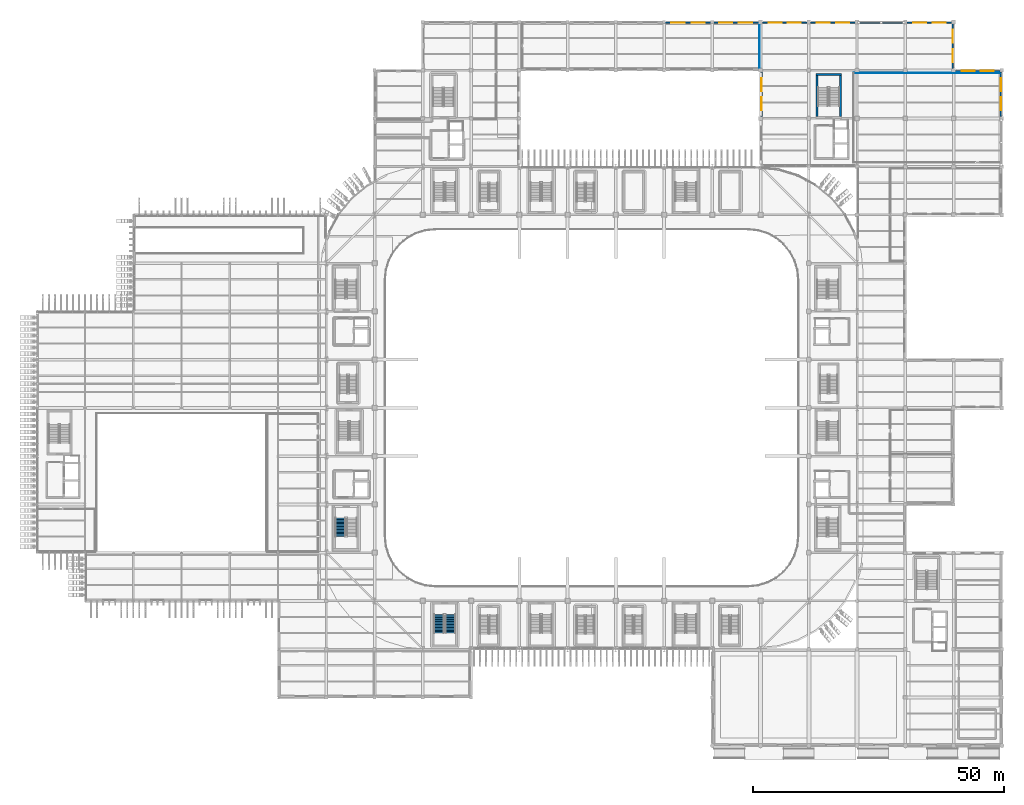
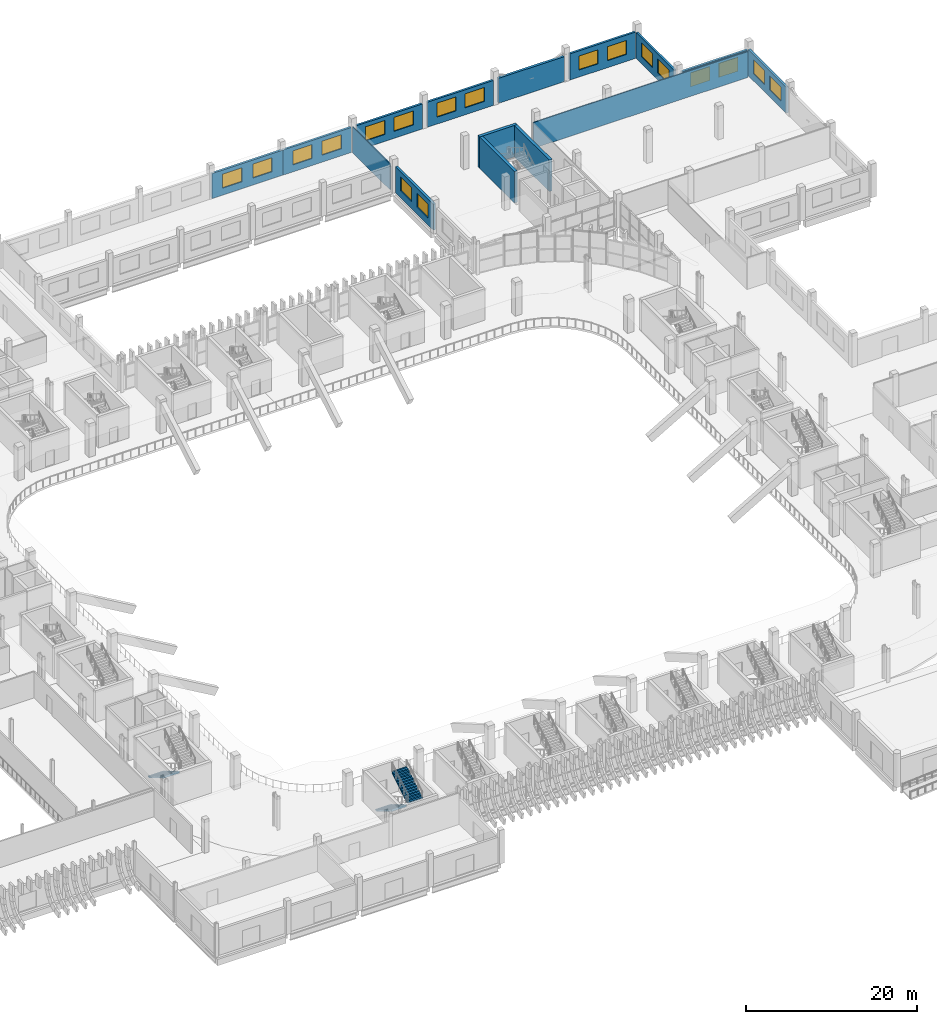
# One storey, part 60 of 100: 18 windows, 15 walls, 3 stair flights, 18 openings, 2 elements without a shape of their own.
"""IFC4 building model written with IfcOpenShell, lengths in metres."""

from ifc_helpers import new_model, si_unit, direction, frame, frame_2d, origin, place, context, subcontext, project, spatial, polyline, rectangle, outline, extrude, material, layer, layer_set, type_object, element, fill, aggregate, save


model = new_model("IFC4")

# Units and contexts
model_context = context("Model", 3, precision=1e-05, world=origin(), true_north=direction((0.0, 1.0)))
body_context = subcontext(model_context, "Body", "Model", "MODEL_VIEW")
ifc_project = project(units=[si_unit("LENGTHUNIT", "METRE"), si_unit("AREAUNIT", "SQUARE_METRE"), si_unit("VOLUMEUNIT", "CUBIC_METRE"), si_unit("PLANEANGLEUNIT", "RADIAN"), si_unit("MASSUNIT", "GRAM", prefix="KILO")], contexts=[model_context])

# Site, building, storey
site_placement = place(None, origin())
site = spatial("IfcSite", under=ifc_project, at=site_placement, CompositionType="ELEMENT")
building_placement = place(site_placement, origin())
building = spatial("IfcBuilding", under=site, at=building_placement, Name="Caelomonte Colonnade Arena", CompositionType="ELEMENT")
storey_placement = place(building_placement, origin())
storey = spatial("IfcBuildingStorey", under=building, at=storey_placement, Name="L00", CompositionType="ELEMENT", Elevation=0.0)

# Wall, openings, windows
ifc_material_1 = material(Name="Precast concrete C40/50", Category="concrete")
ifc_layer_1 = layer(ifc_material_1, 0.2900390625)
ifc_layer_set_1 = layer_set([ifc_layer_1], Name="Precast concrete C40/50")
wall_type_1 = type_object("IfcWallType", Name="ENV-WL-EXT29", PredefinedType="SOLIDWALL", material=ifc_layer_set_1)
wall_1_placement = place(storey_placement, frame((191.820068359375, 125.155029296875, 0.0), z_axis=(0.0, 0.0, 1.0), x_axis=(0.0, 1.0, 0.0)))
wall_1 = element("IfcWall", 1, at=wall_1_placement, inside=storey, type_object=wall_type_1, Name="L00 exterior wall EW-L00-0150", PredefinedType="SOLIDWALL", context=body_context, shape_type="SweptSolid", body=[
    extrude(rectangle(XDim=8.889892578125, YDim=0.2900390625, at=frame_2d((4.44482421875, 0.0))), origin(), (0.0, 0.0, 1.0), 3.75),
])
opening_1_placement = place(wall_1_placement, frame((3.830078125, 0.0, 1.0), z_axis=(0.0, 0.0, 1.0), x_axis=(-1.0, 0.0, 0.0)))
opening_1 = element("IfcOpeningElement", 2, at=opening_1_placement, cuts=wall_1, Name="Opening WN-10", PredefinedType="OPENING", context=body_context, shape_type="SweptSolid", body=[
    extrude(rectangle(XDim=2.60009765625, YDim=2.0, at=frame_2d((1.300048828125, 1.0))), frame((0.0, 0.155029296875, 0.0), z_axis=(0.0, -1.0, 0.0), x_axis=(1.0, 0.0, 0.0)), (0.0, 0.0, 1.0), 0.31005859375),
])
opening_2_placement = place(wall_1_placement, frame((7.66015625, 0.0, 1.0), z_axis=(0.0, 0.0, 1.0), x_axis=(-1.0, 0.0, 0.0)))
opening_2 = element("IfcOpeningElement", 3, at=opening_2_placement, cuts=wall_1, Name="Opening WN-10", PredefinedType="OPENING", context=body_context, shape_type="SweptSolid", body=[
    extrude(rectangle(XDim=2.60009765625, YDim=2.0, at=frame_2d((1.300048828125, 1.0))), frame((0.0, 0.155029296875, 0.0), z_axis=(0.0, -1.0, 0.0), x_axis=(1.0, 0.0, 0.0)), (0.0, 0.0, 1.0), 0.31005859375),
])
ifc_material_2 = material(Name="Solar-control bronze low-E double glazing", Category="glass")
window_type = type_object("IfcWindowType", Name="ENV-WN-V4G", PartitioningType="TRIPLE_PANEL_VERTICAL", PredefinedType="WINDOW", material=ifc_material_2)
window_1_placement = place(opening_1_placement, origin())
window_1 = element("IfcWindow", 4, at=window_1_placement, inside=storey, type_object=window_type, Name="L00 facade window 21", OverallHeight=2.0, OverallWidth=2.60009765625, PartitioningType="SINGLE_PANEL", PredefinedType="WINDOW", context=body_context, shape_type="SweptSolid", body=[
    extrude(rectangle(XDim=2.60009765625, YDim=2.0, at=frame_2d((1.300048828125, 1.0))), frame((0.0, 0.030029296875, 0.0), z_axis=(0.0, -1.0, 0.0), x_axis=(1.0, 0.0, 0.0)), (0.0, 0.0, 1.0), 0.06005859375),
])
fill(opening_1, window_1)
window_2_placement = place(opening_2_placement, origin())
window_2 = element("IfcWindow", 5, at=window_2_placement, inside=storey, type_object=window_type, Name="L00 facade window 22", OverallHeight=2.0, OverallWidth=2.60009765625, PartitioningType="SINGLE_PANEL", PredefinedType="WINDOW", context=body_context, shape_type="SweptSolid", body=[
    extrude(rectangle(XDim=2.60009765625, YDim=2.0, at=frame_2d((1.300048828125, 1.0))), frame((0.0, 0.030029296875, 0.0), z_axis=(0.0, -1.0, 0.0), x_axis=(1.0, 0.0, 0.0)), (0.0, 0.0, 1.0), 0.06005859375),
])
fill(opening_2, window_2)

wall_2_placement = place(storey_placement, frame((191.64501953125, 134.219970703125, 0.0), z_axis=(0.0, 0.0, 1.0), x_axis=(-1.0, 0.0, 0.0)))
wall_2 = element("IfcWall", 6, at=wall_2_placement, inside=storey, type_object=wall_type_1, Name="L00 exterior wall EW-L00-0151", PredefinedType="SOLIDWALL", context=body_context, shape_type="SweptSolid", body=[
    extrude(rectangle(XDim=8.89013671875, YDim=0.2900390625, at=frame_2d((4.445068359375, 0.0))), origin(), (0.0, 0.0, 1.0), 3.664306640625),
])
opening_3_placement = place(wall_2_placement, frame((3.830078125, 0.0, 1.0), z_axis=(0.0, 0.0, 1.0), x_axis=(-1.0, 0.0, 0.0)))
opening_3 = element("IfcOpeningElement", 7, at=opening_3_placement, cuts=wall_2, Name="Opening WN-10", PredefinedType="OPENING", context=body_context, shape_type="SweptSolid", body=[
    extrude(rectangle(XDim=2.60009765625, YDim=2.0, at=frame_2d((1.300048828125, 1.0))), frame((0.0, 0.155029296875, 0.0), z_axis=(0.0, -1.0, 0.0), x_axis=(1.0, 0.0, 0.0)), (0.0, 0.0, 1.0), 0.31005859375),
])
opening_4_placement = place(wall_2_placement, frame((7.66015625, 0.0, 1.0), z_axis=(0.0, 0.0, 1.0), x_axis=(-1.0, 0.0, 0.0)))
opening_4 = element("IfcOpeningElement", 8, at=opening_4_placement, cuts=wall_2, Name="Opening WN-10", PredefinedType="OPENING", context=body_context, shape_type="SweptSolid", body=[
    extrude(rectangle(XDim=2.60009765625, YDim=2.0, at=frame_2d((1.300048828125, 1.0))), frame((0.0, 0.155029296875, 0.0), z_axis=(0.0, -1.0, 0.0), x_axis=(1.0, 0.0, 0.0)), (0.0, 0.0, 1.0), 0.31005859375),
])
window_3_placement = place(opening_3_placement, origin())
window_3 = element("IfcWindow", 9, at=window_3_placement, inside=storey, type_object=window_type, Name="L00 facade window 23", OverallHeight=2.0, OverallWidth=2.60009765625, PartitioningType="SINGLE_PANEL", PredefinedType="WINDOW", context=body_context, shape_type="SweptSolid", body=[
    extrude(rectangle(XDim=2.60009765625, YDim=2.0, at=frame_2d((1.300048828125, 1.0))), frame((0.0, 0.030029296875, 0.0), z_axis=(0.0, -1.0, 0.0), x_axis=(1.0, 0.0, 0.0)), (0.0, 0.0, 1.0), 0.06005859375),
])
fill(opening_3, window_3)
window_4_placement = place(opening_4_placement, origin())
window_4 = element("IfcWindow", 10, at=window_4_placement, inside=storey, type_object=window_type, Name="L00 facade window 24", OverallHeight=2.0, OverallWidth=2.60009765625, PartitioningType="SINGLE_PANEL", PredefinedType="WINDOW", context=body_context, shape_type="SweptSolid", body=[
    extrude(rectangle(XDim=2.60009765625, YDim=2.0, at=frame_2d((1.300048828125, 1.0))), frame((0.0, 0.030029296875, 0.0), z_axis=(0.0, -1.0, 0.0), x_axis=(1.0, 0.0, 0.0)), (0.0, 0.0, 1.0), 0.06005859375),
])
fill(opening_4, window_4)

wall_3_placement = place(storey_placement, frame((182.219970703125, 134.7548828125, 0.0), z_axis=(0.0, 0.0, 1.0), x_axis=(0.0, 1.0, 0.0)))
wall_3 = element("IfcWall", 11, at=wall_3_placement, inside=storey, type_object=wall_type_1, Name="L00 exterior wall EW-L00-0152", PredefinedType="SOLIDWALL", context=body_context, shape_type="SweptSolid", body=[
    extrude(rectangle(XDim=8.89013671875, YDim=0.2900390625, at=frame_2d((4.445068359375, 0.0))), origin(), (0.0, 0.0, 1.0), 3.699951171875),
])
opening_5_placement = place(wall_3_placement, frame((3.830078125, 0.0, 1.0), z_axis=(0.0, 0.0, 1.0), x_axis=(-1.0, 0.0, 0.0)))
opening_5 = element("IfcOpeningElement", 12, at=opening_5_placement, cuts=wall_3, Name="Opening WN-10", PredefinedType="OPENING", context=body_context, shape_type="SweptSolid", body=[
    extrude(rectangle(XDim=2.60009765625, YDim=2.0, at=frame_2d((1.300048828125, 1.0))), frame((0.0, 0.155029296875, 0.0), z_axis=(0.0, -1.0, 0.0), x_axis=(1.0, 0.0, 0.0)), (0.0, 0.0, 1.0), 0.31005859375),
])
opening_6_placement = place(wall_3_placement, frame((7.66015625, 0.0, 1.0), z_axis=(0.0, 0.0, 1.0), x_axis=(-1.0, 0.0, 0.0)))
opening_6 = element("IfcOpeningElement", 13, at=opening_6_placement, cuts=wall_3, Name="Opening WN-10", PredefinedType="OPENING", context=body_context, shape_type="SweptSolid", body=[
    extrude(rectangle(XDim=2.60009765625, YDim=2.0, at=frame_2d((1.300048828125, 1.0))), frame((0.0, 0.155029296875, 0.0), z_axis=(0.0, -1.0, 0.0), x_axis=(1.0, 0.0, 0.0)), (0.0, 0.0, 1.0), 0.31005859375),
])
window_5_placement = place(opening_5_placement, origin())
window_5 = element("IfcWindow", 14, at=window_5_placement, inside=storey, type_object=window_type, Name="L00 facade window 25", OverallHeight=2.0, OverallWidth=2.60009765625, PartitioningType="SINGLE_PANEL", PredefinedType="WINDOW", context=body_context, shape_type="SweptSolid", body=[
    extrude(rectangle(XDim=2.60009765625, YDim=2.0, at=frame_2d((1.300048828125, 1.0))), frame((0.0, 0.030029296875, 0.0), z_axis=(0.0, -1.0, 0.0), x_axis=(1.0, 0.0, 0.0)), (0.0, 0.0, 1.0), 0.06005859375),
])
fill(opening_5, window_5)
window_6_placement = place(opening_6_placement, origin())
window_6 = element("IfcWindow", 15, at=window_6_placement, inside=storey, type_object=window_type, Name="L00 facade window 26", OverallHeight=2.0, OverallWidth=2.60009765625, PartitioningType="SINGLE_PANEL", PredefinedType="WINDOW", context=body_context, shape_type="SweptSolid", body=[
    extrude(rectangle(XDim=2.60009765625, YDim=2.0, at=frame_2d((1.300048828125, 1.0))), frame((0.0, 0.030029296875, 0.0), z_axis=(0.0, -1.0, 0.0), x_axis=(1.0, 0.0, 0.0)), (0.0, 0.0, 1.0), 0.06005859375),
])
fill(opening_6, window_6)

wall_4_placement = place(storey_placement, frame((182.044921875, 143.820068359375, 0.0), z_axis=(0.0, 0.0, 1.0), x_axis=(-1.0, 0.0, 0.0)))
wall_4 = element("IfcWall", 16, at=wall_4_placement, inside=storey, type_object=wall_type_1, Name="L00 exterior wall EW-L00-0153", PredefinedType="SOLIDWALL", context=body_context, shape_type="SweptSolid", body=[
    extrude(rectangle(XDim=8.889892578125, YDim=0.2900390625, at=frame_2d((4.44482421875, 0.0))), origin(), (0.0, 0.0, 1.0), 3.75),
])
opening_7_placement = place(wall_4_placement, frame((3.830078125, 0.0, 1.0), z_axis=(0.0, 0.0, 1.0), x_axis=(-1.0, 0.0, 0.0)))
opening_7 = element("IfcOpeningElement", 17, at=opening_7_placement, cuts=wall_4, Name="Opening WN-10", PredefinedType="OPENING", context=body_context, shape_type="SweptSolid", body=[
    extrude(rectangle(XDim=2.60009765625, YDim=2.0, at=frame_2d((1.300048828125, 1.0))), frame((0.0, 0.155029296875, 0.0), z_axis=(0.0, -1.0, 0.0), x_axis=(1.0, 0.0, 0.0)), (0.0, 0.0, 1.0), 0.31005859375),
])
opening_8_placement = place(wall_4_placement, frame((7.66015625, 0.0, 1.0), z_axis=(0.0, 0.0, 1.0), x_axis=(-1.0, 0.0, 0.0)))
opening_8 = element("IfcOpeningElement", 18, at=opening_8_placement, cuts=wall_4, Name="Opening WN-10", PredefinedType="OPENING", context=body_context, shape_type="SweptSolid", body=[
    extrude(rectangle(XDim=2.60009765625, YDim=2.0, at=frame_2d((1.300048828125, 1.0))), frame((0.0, 0.155029296875, 0.0), z_axis=(0.0, -1.0, 0.0), x_axis=(1.0, 0.0, 0.0)), (0.0, 0.0, 1.0), 0.31005859375),
])
window_7_placement = place(opening_7_placement, origin())
window_7 = element("IfcWindow", 19, at=window_7_placement, inside=storey, type_object=window_type, Name="L00 facade window 27", OverallHeight=2.0, OverallWidth=2.60009765625, PartitioningType="SINGLE_PANEL", PredefinedType="WINDOW", context=body_context, shape_type="SweptSolid", body=[
    extrude(rectangle(XDim=2.60009765625, YDim=2.0, at=frame_2d((1.300048828125, 1.0))), frame((0.0, 0.030029296875, 0.0), z_axis=(0.0, -1.0, 0.0), x_axis=(1.0, 0.0, 0.0)), (0.0, 0.0, 1.0), 0.06005859375),
])
fill(opening_7, window_7)
window_8_placement = place(opening_8_placement, origin())
window_8 = element("IfcWindow", 20, at=window_8_placement, inside=storey, type_object=window_type, Name="L00 facade window 28", OverallHeight=2.0, OverallWidth=2.60009765625, PartitioningType="SINGLE_PANEL", PredefinedType="WINDOW", context=body_context, shape_type="SweptSolid", body=[
    extrude(rectangle(XDim=2.60009765625, YDim=2.0, at=frame_2d((1.300048828125, 1.0))), frame((0.0, 0.030029296875, 0.0), z_axis=(0.0, -1.0, 0.0), x_axis=(1.0, 0.0, 0.0)), (0.0, 0.0, 1.0), 0.06005859375),
])
fill(opening_8, window_8)

wall_5_placement = place(storey_placement, frame((162.844970703125, 143.820068359375, 0.0), z_axis=(0.0, 0.0, 1.0), x_axis=(-1.0, 0.0, 0.0)))
wall_5 = element("IfcWall", 21, at=wall_5_placement, inside=storey, type_object=wall_type_1, Name="L00 exterior wall EW-L00-0155", PredefinedType="SOLIDWALL", context=body_context, shape_type="SweptSolid", body=[
    extrude(rectangle(XDim=8.889892578125, YDim=0.2900390625, at=frame_2d((4.44482421875, 0.0))), origin(), (0.0, 0.0, 1.0), 3.572998046875),
])
opening_9_placement = place(wall_5_placement, frame((3.830078125, 0.0, 1.0), z_axis=(0.0, 0.0, 1.0), x_axis=(-1.0, 0.0, 0.0)))
opening_9 = element("IfcOpeningElement", 22, at=opening_9_placement, cuts=wall_5, Name="Opening WN-10", PredefinedType="OPENING", context=body_context, shape_type="SweptSolid", body=[
    extrude(rectangle(XDim=2.60009765625, YDim=2.0, at=frame_2d((1.300048828125, 1.0))), frame((0.0, 0.155029296875, 0.0), z_axis=(0.0, -1.0, 0.0), x_axis=(1.0, 0.0, 0.0)), (0.0, 0.0, 1.0), 0.31005859375),
])
opening_10_placement = place(wall_5_placement, frame((7.66015625, 0.0, 1.0), z_axis=(0.0, 0.0, 1.0), x_axis=(-1.0, 0.0, 0.0)))
opening_10 = element("IfcOpeningElement", 23, at=opening_10_placement, cuts=wall_5, Name="Opening WN-10", PredefinedType="OPENING", context=body_context, shape_type="SweptSolid", body=[
    extrude(rectangle(XDim=2.60009765625, YDim=2.0, at=frame_2d((1.300048828125, 1.0))), frame((0.0, 0.155029296875, 0.0), z_axis=(0.0, -1.0, 0.0), x_axis=(1.0, 0.0, 0.0)), (0.0, 0.0, 1.0), 0.31005859375),
])
window_9_placement = place(opening_9_placement, origin())
window_9 = element("IfcWindow", 24, at=window_9_placement, inside=storey, type_object=window_type, Name="L00 facade window 29", OverallHeight=2.0, OverallWidth=2.60009765625, PartitioningType="SINGLE_PANEL", PredefinedType="WINDOW", context=body_context, shape_type="SweptSolid", body=[
    extrude(rectangle(XDim=2.60009765625, YDim=2.0, at=frame_2d((1.300048828125, 1.0))), frame((0.0, 0.030029296875, 0.0), z_axis=(0.0, -1.0, 0.0), x_axis=(1.0, 0.0, 0.0)), (0.0, 0.0, 1.0), 0.06005859375),
])
fill(opening_9, window_9)
window_10_placement = place(opening_10_placement, origin())
window_10 = element("IfcWindow", 25, at=window_10_placement, inside=storey, type_object=window_type, Name="L00 facade window 30", OverallHeight=2.0, OverallWidth=2.60009765625, PartitioningType="SINGLE_PANEL", PredefinedType="WINDOW", context=body_context, shape_type="SweptSolid", body=[
    extrude(rectangle(XDim=2.60009765625, YDim=2.0, at=frame_2d((1.300048828125, 1.0))), frame((0.0, 0.030029296875, 0.0), z_axis=(0.0, -1.0, 0.0), x_axis=(1.0, 0.0, 0.0)), (0.0, 0.0, 1.0), 0.06005859375),
])
fill(opening_10, window_10)

wall_6_placement = place(storey_placement, frame((153.2451171875, 143.820068359375, 0.0), z_axis=(0.0, 0.0, 1.0), x_axis=(-1.0, 0.0, 0.0)))
wall_6 = element("IfcWall", 26, at=wall_6_placement, inside=storey, type_object=wall_type_1, Name="L00 exterior wall EW-L00-0156", PredefinedType="SOLIDWALL", context=body_context, shape_type="SweptSolid", body=[
    extrude(rectangle(XDim=8.89013671875, YDim=0.2900390625, at=frame_2d((4.445068359375, 0.0))), origin(), (0.0, 0.0, 1.0), 3.572998046875),
])
opening_11_placement = place(wall_6_placement, frame((3.830078125, 0.0, 1.0), z_axis=(0.0, 0.0, 1.0), x_axis=(-1.0, 0.0, 0.0)))
opening_11 = element("IfcOpeningElement", 27, at=opening_11_placement, cuts=wall_6, Name="Opening WN-10", PredefinedType="OPENING", context=body_context, shape_type="SweptSolid", body=[
    extrude(rectangle(XDim=2.60009765625, YDim=2.0, at=frame_2d((1.300048828125, 1.0))), frame((0.0, 0.155029296875, 0.0), z_axis=(0.0, -1.0, 0.0), x_axis=(1.0, 0.0, 0.0)), (0.0, 0.0, 1.0), 0.31005859375),
])
opening_12_placement = place(wall_6_placement, frame((7.66015625, 0.0, 1.0), z_axis=(0.0, 0.0, 1.0), x_axis=(-1.0, 0.0, 0.0)))
opening_12 = element("IfcOpeningElement", 28, at=opening_12_placement, cuts=wall_6, Name="Opening WN-10", PredefinedType="OPENING", context=body_context, shape_type="SweptSolid", body=[
    extrude(rectangle(XDim=2.60009765625, YDim=2.0, at=frame_2d((1.300048828125, 1.0))), frame((0.0, 0.155029296875, 0.0), z_axis=(0.0, -1.0, 0.0), x_axis=(1.0, 0.0, 0.0)), (0.0, 0.0, 1.0), 0.31005859375),
])
window_11_placement = place(opening_11_placement, origin())
window_11 = element("IfcWindow", 29, at=window_11_placement, inside=storey, type_object=window_type, Name="L00 facade window 31", OverallHeight=2.0, OverallWidth=2.60009765625, PartitioningType="SINGLE_PANEL", PredefinedType="WINDOW", context=body_context, shape_type="SweptSolid", body=[
    extrude(rectangle(XDim=2.60009765625, YDim=2.0, at=frame_2d((1.300048828125, 1.0))), frame((0.0, 0.030029296875, 0.0), z_axis=(0.0, -1.0, 0.0), x_axis=(1.0, 0.0, 0.0)), (0.0, 0.0, 1.0), 0.06005859375),
])
fill(opening_11, window_11)
window_12_placement = place(opening_12_placement, origin())
window_12 = element("IfcWindow", 30, at=window_12_placement, inside=storey, type_object=window_type, Name="L00 facade window 32", OverallHeight=2.0, OverallWidth=2.60009765625, PartitioningType="SINGLE_PANEL", PredefinedType="WINDOW", context=body_context, shape_type="SweptSolid", body=[
    extrude(rectangle(XDim=2.60009765625, YDim=2.0, at=frame_2d((1.300048828125, 1.0))), frame((0.0, 0.030029296875, 0.0), z_axis=(0.0, -1.0, 0.0), x_axis=(1.0, 0.0, 0.0)), (0.0, 0.0, 1.0), 0.06005859375),
])
fill(opening_12, window_12)

wall_7_placement = place(storey_placement, frame((143.64501953125, 143.820068359375, 0.0), z_axis=(0.0, 0.0, 1.0), x_axis=(-1.0, 0.0, 0.0)))
wall_7 = element("IfcWall", 31, at=wall_7_placement, inside=storey, type_object=wall_type_1, Name="L00 exterior wall EW-L00-0157", PredefinedType="SOLIDWALL", context=body_context, shape_type="SweptSolid", body=[
    extrude(rectangle(XDim=9.2451171875, YDim=0.2900390625, at=frame_2d((4.62255859375, 0.0))), origin(), (0.0, 0.0, 1.0), 3.572998046875),
])
opening_13_placement = place(wall_7_placement, frame((3.948486328125, 0.0, 1.0), z_axis=(0.0, 0.0, 1.0), x_axis=(-1.0, 0.0, 0.0)))
opening_13 = element("IfcOpeningElement", 32, at=opening_13_placement, cuts=wall_7, Name="Opening WN-10", PredefinedType="OPENING", context=body_context, shape_type="SweptSolid", body=[
    extrude(rectangle(XDim=2.60009765625, YDim=2.0, at=frame_2d((1.300048828125, 1.0))), frame((0.0, 0.155029296875, 0.0), z_axis=(0.0, -1.0, 0.0), x_axis=(1.0, 0.0, 0.0)), (0.0, 0.0, 1.0), 0.31005859375),
])
opening_14_placement = place(wall_7_placement, frame((7.896728515625, 0.0, 1.0), z_axis=(0.0, 0.0, 1.0), x_axis=(-1.0, 0.0, 0.0)))
opening_14 = element("IfcOpeningElement", 33, at=opening_14_placement, cuts=wall_7, Name="Opening WN-10", PredefinedType="OPENING", context=body_context, shape_type="SweptSolid", body=[
    extrude(rectangle(XDim=2.60009765625, YDim=2.0, at=frame_2d((1.300048828125, 1.0))), frame((0.0, 0.155029296875, 0.0), z_axis=(0.0, -1.0, 0.0), x_axis=(1.0, 0.0, 0.0)), (0.0, 0.0, 1.0), 0.31005859375),
])
window_13_placement = place(opening_13_placement, origin())
window_13 = element("IfcWindow", 34, at=window_13_placement, inside=storey, type_object=window_type, Name="L00 facade window 33", OverallHeight=2.0, OverallWidth=2.60009765625, PartitioningType="SINGLE_PANEL", PredefinedType="WINDOW", context=body_context, shape_type="SweptSolid", body=[
    extrude(rectangle(XDim=2.60009765625, YDim=2.0, at=frame_2d((1.300048828125, 1.0))), frame((0.0, 0.030029296875, 0.0), z_axis=(0.0, -1.0, 0.0), x_axis=(1.0, 0.0, 0.0)), (0.0, 0.0, 1.0), 0.06005859375),
])
fill(opening_13, window_13)
window_14_placement = place(opening_14_placement, origin())
window_14 = element("IfcWindow", 35, at=window_14_placement, inside=storey, type_object=window_type, Name="L00 facade window 34", OverallHeight=2.0, OverallWidth=2.60009765625, PartitioningType="SINGLE_PANEL", PredefinedType="WINDOW", context=body_context, shape_type="SweptSolid", body=[
    extrude(rectangle(XDim=2.60009765625, YDim=2.0, at=frame_2d((1.300048828125, 1.0))), frame((0.0, 0.030029296875, 0.0), z_axis=(0.0, -1.0, 0.0), x_axis=(1.0, 0.0, 0.0)), (0.0, 0.0, 1.0), 0.06005859375),
])
fill(opening_14, window_14)

wall_8_placement = place(storey_placement, frame((134.39990234375, 143.820068359375, 0.0), z_axis=(0.0, 0.0, 1.0), x_axis=(-1.0, 0.0, 0.0)))
wall_8 = element("IfcWall", 36, at=wall_8_placement, inside=storey, type_object=wall_type_1, Name="L00 exterior wall EW-L00-0158", PredefinedType="SOLIDWALL", context=body_context, shape_type="SweptSolid", body=[
    extrude(rectangle(XDim=9.599853515625, YDim=0.2900390625, at=frame_2d((4.7998046875, 0.0))), origin(), (0.0, 0.0, 1.0), 3.572998046875),
])
opening_15_placement = place(wall_8_placement, frame((4.06689453125, 0.0, 1.0), z_axis=(0.0, 0.0, 1.0), x_axis=(-1.0, 0.0, 0.0)))
opening_15 = element("IfcOpeningElement", 37, at=opening_15_placement, cuts=wall_8, Name="Opening WN-10", PredefinedType="OPENING", context=body_context, shape_type="SweptSolid", body=[
    extrude(rectangle(XDim=2.60009765625, YDim=2.0, at=frame_2d((1.300048828125, 1.0))), frame((0.0, 0.155029296875, 0.0), z_axis=(0.0, -1.0, 0.0), x_axis=(1.0, 0.0, 0.0)), (0.0, 0.0, 1.0), 0.31005859375),
])
opening_16_placement = place(wall_8_placement, frame((8.13330078125, 0.0, 1.0), z_axis=(0.0, 0.0, 1.0), x_axis=(-1.0, 0.0, 0.0)))
opening_16 = element("IfcOpeningElement", 38, at=opening_16_placement, cuts=wall_8, Name="Opening WN-10", PredefinedType="OPENING", context=body_context, shape_type="SweptSolid", body=[
    extrude(rectangle(XDim=2.60009765625, YDim=2.0, at=frame_2d((1.300048828125, 1.0))), frame((0.0, 0.155029296875, 0.0), z_axis=(0.0, -1.0, 0.0), x_axis=(1.0, 0.0, 0.0)), (0.0, 0.0, 1.0), 0.31005859375),
])
window_15_placement = place(opening_15_placement, origin())
window_15 = element("IfcWindow", 39, at=window_15_placement, inside=storey, type_object=window_type, Name="L00 facade window 35", OverallHeight=2.0, OverallWidth=2.60009765625, PartitioningType="SINGLE_PANEL", PredefinedType="WINDOW", context=body_context, shape_type="SweptSolid", body=[
    extrude(rectangle(XDim=2.60009765625, YDim=2.0, at=frame_2d((1.300048828125, 1.0))), frame((0.0, 0.030029296875, 0.0), z_axis=(0.0, -1.0, 0.0), x_axis=(1.0, 0.0, 0.0)), (0.0, 0.0, 1.0), 0.06005859375),
])
fill(opening_15, window_15)
window_16_placement = place(opening_16_placement, origin())
window_16 = element("IfcWindow", 40, at=window_16_placement, inside=storey, type_object=window_type, Name="L00 facade window 36", OverallHeight=2.0, OverallWidth=2.60009765625, PartitioningType="SINGLE_PANEL", PredefinedType="WINDOW", context=body_context, shape_type="SweptSolid", body=[
    extrude(rectangle(XDim=2.60009765625, YDim=2.0, at=frame_2d((1.300048828125, 1.0))), frame((0.0, 0.030029296875, 0.0), z_axis=(0.0, -1.0, 0.0), x_axis=(1.0, 0.0, 0.0)), (0.0, 0.0, 1.0), 0.06005859375),
])
fill(opening_16, window_16)

# Wall
ifc_layer_2 = layer(ifc_material_1, 0.330078125)
ifc_layer_set_2 = layer_set([ifc_layer_2], Name="Precast concrete C40/50")
wall_type_2 = type_object("IfcWallType", Name="ENV-WL-EXT33", PredefinedType="SOLIDWALL", material=ifc_layer_set_2)
wall_9_placement = place(storey_placement, frame((172.445068359375, 143.89990234375, 0.0), z_axis=(0.0, 0.0, 1.0), x_axis=(-1.0, 0.0, 0.0)))
element("IfcWall", 41, at=wall_9_placement, inside=storey, type_object=wall_type_2, Name="L00 exterior wall EW-L00-0154", PredefinedType="SOLIDWALL", context=body_context, shape_type="SweptSolid", body=[
    extrude(rectangle(XDim=8.89013671875, YDim=0.330078125, at=frame_2d((4.445068359375, 0.0))), origin(), (0.0, 0.0, 1.0), 3.572998046875),
])

# Wall, openings, windows
wall_10_placement = place(storey_placement, frame((144.179931640625, 134.044921875, 0.0), z_axis=(0.0, 0.0, 1.0), x_axis=(0.0, -1.0, 0.0)))
wall_10 = element("IfcWall", 42, at=wall_10_placement, inside=storey, type_object=wall_type_2, Name="L00 exterior wall EW-L00-0178", PredefinedType="SOLIDWALL", context=body_context, shape_type="SweptSolid", body=[
    extrude(rectangle(XDim=8.889892578125, YDim=0.330078125, at=frame_2d((4.44482421875, 0.0))), origin(), (0.0, 0.0, 1.0), 3.699951171875),
])
opening_17_placement = place(wall_10_placement, frame((3.830078125, 0.0, 1.0), z_axis=(0.0, 0.0, 1.0), x_axis=(-1.0, 0.0, 0.0)))
opening_17 = element("IfcOpeningElement", 43, at=opening_17_placement, cuts=wall_10, Name="Opening WN-10", PredefinedType="OPENING", context=body_context, shape_type="SweptSolid", body=[
    extrude(rectangle(XDim=2.60009765625, YDim=2.0, at=frame_2d((1.300048828125, 1.0))), frame((0.0, 0.175048828125, 0.0), z_axis=(0.0, -1.0, 0.0), x_axis=(1.0, 0.0, 0.0)), (0.0, 0.0, 1.0), 0.35009765625),
])
opening_18_placement = place(wall_10_placement, frame((7.66015625, 0.0, 1.0), z_axis=(0.0, 0.0, 1.0), x_axis=(-1.0, 0.0, 0.0)))
opening_18 = element("IfcOpeningElement", 44, at=opening_18_placement, cuts=wall_10, Name="Opening WN-10", PredefinedType="OPENING", context=body_context, shape_type="SweptSolid", body=[
    extrude(rectangle(XDim=2.60009765625, YDim=2.0, at=frame_2d((1.300048828125, 1.0))), frame((0.0, 0.175048828125, 0.0), z_axis=(0.0, -1.0, 0.0), x_axis=(1.0, 0.0, 0.0)), (0.0, 0.0, 1.0), 0.35009765625),
])
window_17_placement = place(opening_17_placement, origin())
window_17 = element("IfcWindow", 45, at=window_17_placement, inside=storey, type_object=window_type, Name="L00 facade window 63", OverallHeight=2.0, OverallWidth=2.60009765625, PartitioningType="SINGLE_PANEL", PredefinedType="WINDOW", context=body_context, shape_type="SweptSolid", body=[
    extrude(rectangle(XDim=2.60009765625, YDim=2.0, at=frame_2d((1.300048828125, 1.0))), frame((0.0, 0.030029296875, 0.0), z_axis=(0.0, -1.0, 0.0), x_axis=(1.0, 0.0, 0.0)), (0.0, 0.0, 1.0), 0.06005859375),
])
fill(opening_17, window_17)
window_18_placement = place(opening_18_placement, origin())
window_18 = element("IfcWindow", 46, at=window_18_placement, inside=storey, type_object=window_type, Name="L00 facade window 64", OverallHeight=2.0, OverallWidth=2.60009765625, PartitioningType="SINGLE_PANEL", PredefinedType="WINDOW", context=body_context, shape_type="SweptSolid", body=[
    extrude(rectangle(XDim=2.60009765625, YDim=2.0, at=frame_2d((1.300048828125, 1.0))), frame((0.0, 0.030029296875, 0.0), z_axis=(0.0, -1.0, 0.0), x_axis=(1.0, 0.0, 0.0)), (0.0, 0.0, 1.0), 0.06005859375),
])
fill(opening_18, window_18)

# Walls
ifc_material_3 = material(Name="Office gypsum stud partition")
ifc_layer_3 = layer(ifc_material_3, 0.1201171875)
ifc_layer_set_3 = layer_set([ifc_layer_3], Name="Office gypsum stud partition")
wall_type_3 = type_object("IfcWallType", Name="INT-WL-PT12", PredefinedType="PARTITIONING", material=ifc_layer_set_3)
wall_11_placement = place(storey_placement, frame((143.800048828125, 143.590087890625, 0.0), z_axis=(0.0, 0.0, 1.0), x_axis=(0.0, -1.0, 0.0)))
element("IfcWall", 47, at=wall_11_placement, inside=storey, type_object=wall_type_3, Name="L00 Civic Sports Exhibition Room partition 100", PredefinedType="PARTITIONING", context=body_context, shape_type="SweptSolid", body=[
    extrude(rectangle(XDim=8.780029296875, YDim=0.1201171875, at=frame_2d((4.39013671875, 0.0))), origin(), (0.0, 0.0, 1.0), 3.699951171875),
])
wall_12_placement = place(storey_placement, frame((162.5, 133.800048828125, 0.0), z_axis=(0.0, 0.0, 1.0), x_axis=(1.0, 0.0, 0.0)))
element("IfcWall", 48, at=wall_12_placement, inside=storey, type_object=wall_type_3, Name="L00 Arena Operations Office partition 102", PredefinedType="PARTITIONING", context=body_context, shape_type="SweptSolid", body=[
    extrude(rectangle(XDim=29.0, YDim=0.1201171875, at=frame_2d((14.5, 0.0))), origin(), (0.0, 0.0, 1.0), 3.699951171875),
])
ifc_material_4 = material(Name="Concrete C50/60", Category="concrete")
ifc_layer_4 = layer(ifc_material_4, 0.39990234375)
ifc_layer_set_4 = layer_set([ifc_layer_4], Name="Concrete C50/60")
wall_type_4 = type_object("IfcWallType", Name="INT-WL-SH40", PredefinedType="SHEAR", material=ifc_layer_set_4)
wall_13_placement = place(storey_placement, frame((160.10009765625, 133.550048828125, 0.0), z_axis=(0.0, 0.0, 1.0), x_axis=(-1.0, 0.0, 0.0)))
element("IfcWall", 49, at=wall_13_placement, inside=storey, type_object=wall_type_4, Name="CW-C6-ST L00 north enclosure wall", PredefinedType="SHEAR", context=body_context, shape_type="SweptSolid", body=[
    extrude(rectangle(XDim=5.10009765625, YDim=0.39990234375, at=frame_2d((2.550048828125, 0.0))), origin(), (0.0, 0.0, 1.0), 4.5),
])
for number, where, z_axis, x_axis, name in (
    (50, (155.199951171875, 133.35009765625, 0.0), (0.0, 0.0, 1.0), (0.0, -1.0, 0.0), "CW-C6-ST L00 west enclosure wall"),
    (51, (159.89990234375, 125.199951171875, 0.0), (0.0, 0.0, 1.0), (0.0, 1.0, 0.0), "CW-C6-ST L00 east enclosure wall"),
):
    element("IfcWall", number, at=place(storey_placement, frame(where, z_axis=z_axis, x_axis=x_axis)), inside=storey, type_object=wall_type_4, Name=name, PredefinedType="SHEAR", context=body_context, shape_type="SweptSolid", body=[
        extrude(rectangle(XDim=8.150146484375, YDim=0.39990234375, at=frame_2d((4.0751953125, 0.0))), origin(), (0.0, 0.0, 1.0), 4.5),
    ])

# Stair, stair flights
ifc_material_5 = material(Name="Concrete C40/50", Category="concrete")
stair_type_1 = type_object("IfcStairType", Name="INT-ST-CORE48", PredefinedType="HALF_TURN_STAIR", material=ifc_material_5)
stair_1_placement = place(storey_placement, origin())
stair_1 = element("IfcStair", 52, at=stair_1_placement, inside=storey, type_object=stair_type_1, Name="L00 Protected exit stair ST-11", PredefinedType="HALF_TURN_STAIR")
stair_flight_type_1 = type_object("IfcStairFlightType", Name="INT-SF-CORE48", PredefinedType="STRAIGHT", material=ifc_material_5)
stair_flight_1_placement = place(storey_placement, frame((80.02490234375, 26.10009765625, 0.0), z_axis=(0.0, 0.0, 1.0), x_axis=(0.0, -1.0, 0.0)))
stair_flight_1 = element("IfcStairFlight", 53, at=stair_flight_1_placement, type_object=stair_flight_type_1, Name="ST-11 flight 1", NumberOfRisers=14, NumberOfTreads=13, PredefinedType="STRAIGHT", RiserHeight=0.171428571, TreadLength=0.285, context=body_context, shape_type="SweptSolid", body=[
    extrude(outline(polyline([(-0.02490234375, 0.0), (-0.02490234375, 0.102783203125), (0.0, 0.102783203125), (0.0, 0.17138671875), (0.284912109375, 0.17138671875), (0.284912109375, 0.3427734375), (0.570068359375, 0.3427734375), (0.570068359375, 0.514404296875), (0.85498046875, 0.514404296875), (0.85498046875, 0.685791015625), (1.139892578125, 0.685791015625), (1.139892578125, 0.857177734375), (1.425048828125, 0.857177734375), (1.425048828125, 1.028564453125), (1.7099609375, 1.028564453125), (1.7099609375, 1.199951171875), (1.9951171875, 1.199951171875), (1.9951171875, 1.371337890625), (2.280029296875, 1.371337890625), (2.280029296875, 1.54296875), (2.56494140625, 1.54296875), (2.56494140625, 1.71435546875), (2.85009765625, 1.71435546875), (2.85009765625, 1.8857421875), (3.135009765625, 1.8857421875), (3.135009765625, 2.05712890625), (3.419921875, 2.05712890625), (3.419921875, 2.228515625), (3.705078125, 2.228515625), (3.705078125, 2.39990234375), (3.72998046875, 2.39990234375), (3.72998046875, 2.0537109375), (0.290771484375, 0.0), (-0.02490234375, 0.0)])), frame((0.0, 1.02490234375, 0.0), z_axis=(0.0, -1.0, 0.0), x_axis=(1.0, 0.0, 0.0)), (0.0, 0.0, 1.0), 2.050048828125),
])
stair_flight_2_placement = place(storey_placement, frame((82.27490234375, 22.39501953125, 2.39990234375), z_axis=(0.0, 0.0, 1.0), x_axis=(0.0, 1.0, 0.0)))
stair_flight_2 = element("IfcStairFlight", 54, at=stair_flight_2_placement, type_object=stair_flight_type_1, Name="ST-11 flight 2", NumberOfRisers=14, NumberOfTreads=13, PredefinedType="STRAIGHT", RiserHeight=0.171428571, TreadLength=0.285, context=body_context, shape_type="SweptSolid", body=[
    extrude(outline(polyline([(-0.02490234375, 0.0), (-0.02490234375, 0.102783203125), (0.0, 0.102783203125), (0.0, 0.17138671875), (0.284912109375, 0.17138671875), (0.284912109375, 0.3427734375), (0.570068359375, 0.3427734375), (0.570068359375, 0.514404296875), (0.85498046875, 0.514404296875), (0.85498046875, 0.685791015625), (1.139892578125, 0.685791015625), (1.139892578125, 0.857177734375), (1.425048828125, 0.857177734375), (1.425048828125, 1.028564453125), (1.7099609375, 1.028564453125), (1.7099609375, 1.199951171875), (1.9951171875, 1.199951171875), (1.9951171875, 1.371337890625), (2.280029296875, 1.371337890625), (2.280029296875, 1.54296875), (2.56494140625, 1.54296875), (2.56494140625, 1.71435546875), (2.85009765625, 1.71435546875), (2.85009765625, 1.8857421875), (3.135009765625, 1.8857421875), (3.135009765625, 2.05712890625), (3.419921875, 2.05712890625), (3.419921875, 2.228515625), (3.705078125, 2.228515625), (3.705078125, 2.39990234375), (3.72998046875, 2.39990234375), (3.72998046875, 2.0537109375), (0.290771484375, 0.0), (-0.02490234375, 0.0)])), frame((0.0, 1.02490234375, 0.0), z_axis=(0.0, -1.0, 0.0), x_axis=(1.0, 0.0, 0.0)), (0.0, 0.0, 1.0), 2.050048828125),
])
aggregate(stair_1, [stair_flight_1, stair_flight_2])

# Stair, stair flight
stair_type_2 = type_object("IfcStairType", Name="INT-ST-WING48", PredefinedType="HALF_TURN_STAIR", material=ifc_material_5)
stair_2_placement = place(storey_placement, origin())
stair_2 = element("IfcStair", 55, at=stair_2_placement, inside=storey, type_object=stair_type_2, Name="L00 Core C1 exit stair ST-01", PredefinedType="HALF_TURN_STAIR")
stair_flight_type_2 = type_object("IfcStairFlightType", Name="INT-SF-WING48", PredefinedType="STRAIGHT", material=ifc_material_5)
stair_flight_3_placement = place(storey_placement, frame((60.425048828125, 45.300048828125, 0.0), z_axis=(0.0, 0.0, 1.0), x_axis=(0.0, -1.0, 0.0)))
stair_flight_3 = element("IfcStairFlight", 56, at=stair_flight_3_placement, type_object=stair_flight_type_2, Name="ST-01 flight 1", NumberOfRisers=14, NumberOfTreads=13, PredefinedType="STRAIGHT", RiserHeight=0.171428571, TreadLength=0.285, context=body_context, shape_type="SweptSolid", body=[
    extrude(outline(polyline([(-0.02490234375, 0.0), (-0.02490234375, 0.102783203125), (0.0, 0.102783203125), (0.0, 0.17138671875), (0.284912109375, 0.17138671875), (0.284912109375, 0.3427734375), (0.570068359375, 0.3427734375), (0.570068359375, 0.514404296875), (0.85498046875, 0.514404296875), (0.85498046875, 0.685791015625), (1.139892578125, 0.685791015625), (1.139892578125, 0.857177734375), (1.425048828125, 0.857177734375), (1.425048828125, 1.028564453125), (1.7099609375, 1.028564453125), (1.7099609375, 1.199951171875), (1.9951171875, 1.199951171875), (1.9951171875, 1.371337890625), (2.280029296875, 1.371337890625), (2.280029296875, 1.54296875), (2.56494140625, 1.54296875), (2.56494140625, 1.71435546875), (2.85009765625, 1.71435546875), (2.85009765625, 1.8857421875), (3.135009765625, 1.8857421875), (3.135009765625, 2.05712890625), (3.419921875, 2.05712890625), (3.419921875, 2.228515625), (3.705078125, 2.228515625), (3.705078125, 2.39990234375), (3.72998046875, 2.39990234375), (3.72998046875, 2.0537109375), (0.290771484375, 0.0), (-0.02490234375, 0.0)])), frame((0.0, 1.02490234375, 0.0), z_axis=(0.0, -1.0, 0.0), x_axis=(1.0, 0.0, 0.0)), (0.0, 0.0, 1.0), 2.050048828125),
])
aggregate(stair_2, [stair_flight_3])

save(model, "model.ifc")
